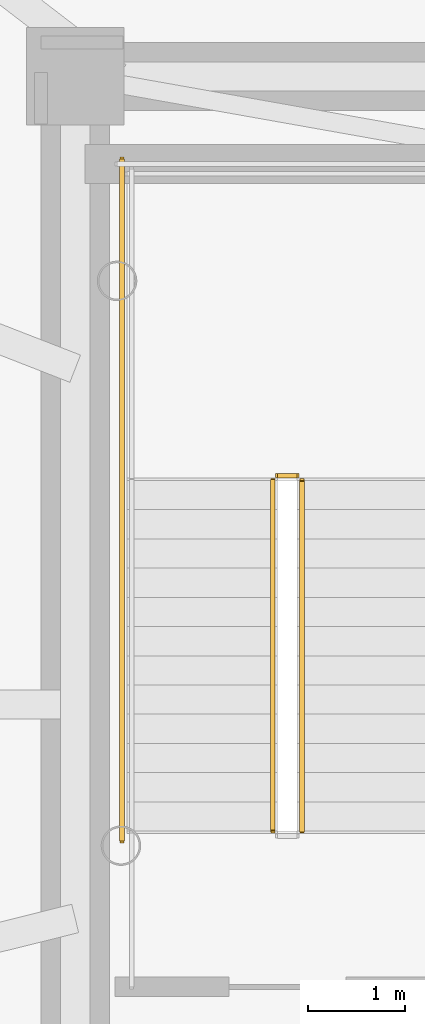
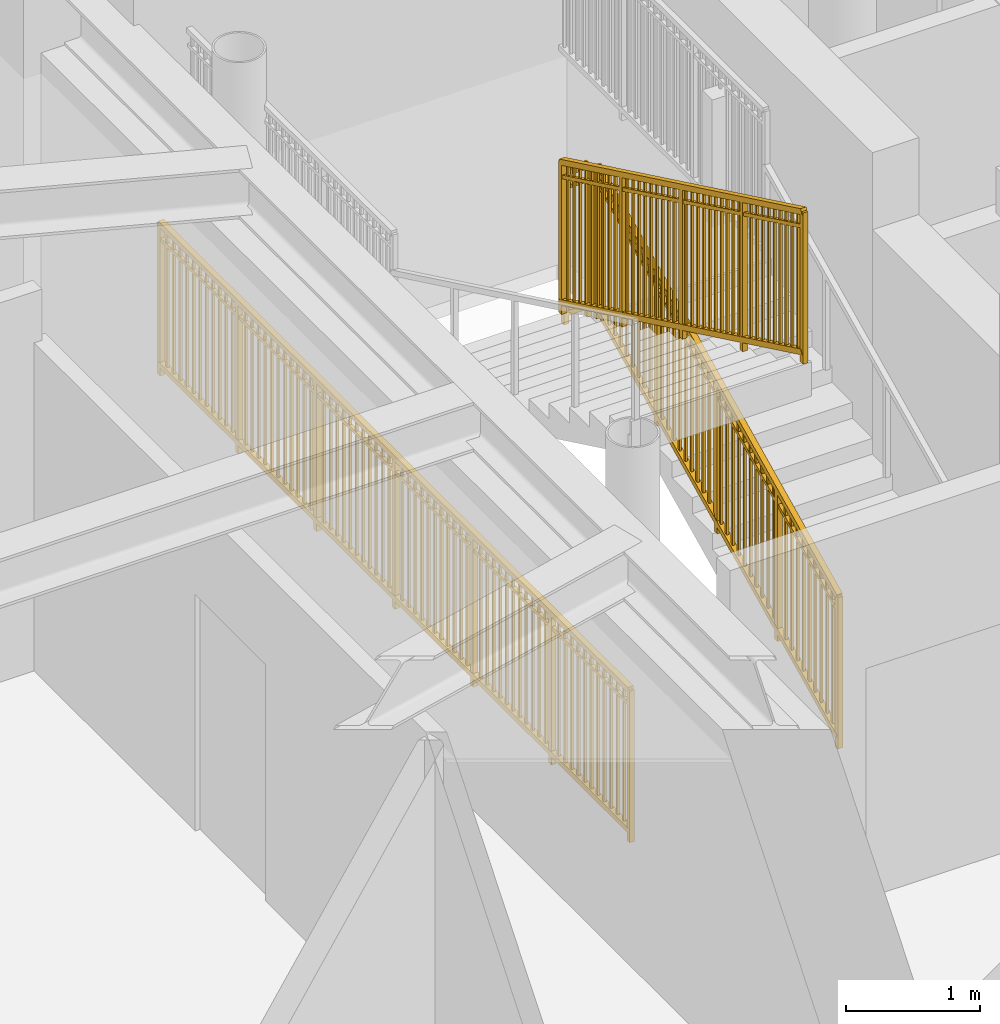
# One storey, part 14 of 17: 4 railings.
"""IFC4 building model written with IfcOpenShell, lengths in metres."""

from ifc_helpers import new_model, si_unit, direction, frame, origin, origin_2d, place, context, subcontext, project, spatial, rectangle, extrude, source, transform, mapped, material, type_object, element, save


model = new_model("IFC4")

# Units and contexts
model_context = context("Model", 3, precision=1e-05, world=origin(), true_north=direction((0.0, 1.0)))
body_context = subcontext(model_context, "Body", "Model", "MODEL_VIEW")
ifc_project = project(units=[si_unit("LENGTHUNIT", "METRE"), si_unit("AREAUNIT", "SQUARE_METRE"), si_unit("VOLUMEUNIT", "CUBIC_METRE"), si_unit("PLANEANGLEUNIT", "RADIAN"), si_unit("MASSUNIT", "GRAM", prefix="KILO")], contexts=[model_context])

# Site, building, storey
site_placement = place(None, origin())
site = spatial("IfcSite", under=ifc_project, at=site_placement, CompositionType="ELEMENT")
building_placement = place(site_placement, origin())
building = spatial("IfcBuilding", under=site, at=building_placement, Name="Linh Dai School and Residence Tower", CompositionType="ELEMENT")
storey_placement = place(building_placement, frame((0.0, 0.0, 314.25)))
storey = spatial("IfcBuildingStorey", under=building, at=storey_placement, Name="L78", CompositionType="ELEMENT", Elevation=314.25)

# Railings
ifc_material = material(Name="Structural Steel S355JR", Category="steel")
railing_type = type_object("IfcRailingType", Name="RL-ST-GUARD-1400", PredefinedType="GUARDRAIL", material=ifc_material)
shared_shape_1 = source(origin(), body_context, "Body", "SweptSolid", [
    extrude(rectangle(XDim=0.048095703125, YDim=0.048095703125, at=origin_2d()), frame((0.0, 0.0, 1.3759765625), z_axis=(-1.0, 0.0, 0.0), x_axis=(0.0, -1.0, 0.0)), (0.0, 0.0, 1.0), 0.199951171875),
    extrude(rectangle(XDim=0.048095703125, YDim=0.048095703125, at=origin_2d()), frame((0.0, 0.0, 0.10009765625), z_axis=(-1.0, 0.0, 0.0), x_axis=(0.0, -1.0, 0.0)), (0.0, 0.0, 1.0), 0.199951171875),
    extrude(rectangle(XDim=0.030029296875, YDim=0.030029296875, at=origin_2d()), frame((0.0, 0.0, 1.239990234375), z_axis=(-1.0, 0.0, 0.0), x_axis=(0.0, -1.0, 0.0)), (0.0, 0.0, 1.0), 0.199951171875),
    extrude(rectangle(XDim=0.0419921875, YDim=0.0419921875, at=origin_2d()), origin(), (0.0, 0.0, 1.0), 1.3759765625),
    extrude(rectangle(XDim=0.0419921875, YDim=0.0419921875, at=origin_2d()), frame((-0.199951171875, 0.0, 0.0)), (0.0, 0.0, 1.0), 1.3759765625),
])
railing_1_placement = place(storey_placement, frame((29.429931640625, 29.35009765625, 1.875)))
element("IfcRailing", 1, at=railing_1_placement, inside=storey, type_object=railing_type, Name="L78 ST1 stair guard 2", PredefinedType="GUARDRAIL", context=body_context, shape_type="MappedRepresentation", body=[
    mapped(shared_shape_1, transform((0.0, 0.0, 0.0), x_axis=(1.0, 0.0, 0.0), y_axis=(0.0, 1.0, 0.0), z_axis=(0.0, 0.0, 1.0), scale=1.0)),
])
shared_shape_2 = source(origin(), body_context, "Body", "SweptSolid", [
    extrude(rectangle(XDim=0.048095703125, YDim=0.048095703125, at=origin_2d()), frame((0.0, 0.0, 1.3759765625), z_axis=(0.0, 1.0, 0.0), x_axis=(-1.0, 0.0, 0.0)), (0.0, 0.0, 1.0), 7.0),
    extrude(rectangle(XDim=0.048095703125, YDim=0.048095703125, at=origin_2d()), frame((0.0, 0.0, 0.10009765625), z_axis=(0.0, 1.0, 0.0), x_axis=(-1.0, 0.0, 0.0)), (0.0, 0.0, 1.0), 7.0),
    extrude(rectangle(XDim=0.030029296875, YDim=0.030029296875, at=origin_2d()), frame((0.0, 0.0, 1.239990234375), z_axis=(0.0, 1.0, 0.0), x_axis=(-1.0, 0.0, 0.0)), (0.0, 0.0, 1.0), 7.0),
    extrude(rectangle(XDim=0.02001953125, YDim=0.02001953125, at=origin_2d()), frame((0.0, 0.09716796875, 0.10009765625)), (0.0, 0.0, 1.0), 1.251708984375),
    extrude(rectangle(XDim=0.02001953125, YDim=0.02001953125, at=origin_2d()), frame((0.0, 0.1943359375, 0.10009765625)), (0.0, 0.0, 1.0), 1.251708984375),
    extrude(rectangle(XDim=0.02001953125, YDim=0.02001953125, at=origin_2d()), frame((0.0, 0.291748046875, 0.10009765625)), (0.0, 0.0, 1.0), 1.251708984375),
    extrude(rectangle(XDim=0.02001953125, YDim=0.02001953125, at=origin_2d()), frame((0.0, 0.388916015625, 0.10009765625)), (0.0, 0.0, 1.0), 1.251708984375),
    extrude(rectangle(XDim=0.02001953125, YDim=0.02001953125, at=origin_2d()), frame((0.0, 0.486083984375, 0.10009765625)), (0.0, 0.0, 1.0), 1.251708984375),
    extrude(rectangle(XDim=0.02001953125, YDim=0.02001953125, at=origin_2d()), frame((0.0, 0.583251953125, 0.10009765625)), (0.0, 0.0, 1.0), 1.251708984375),
    extrude(rectangle(XDim=0.02001953125, YDim=0.02001953125, at=origin_2d()), frame((0.0, 0.6806640625, 0.10009765625)), (0.0, 0.0, 1.0), 1.251708984375),
    extrude(rectangle(XDim=0.02001953125, YDim=0.02001953125, at=origin_2d()), frame((0.0, 0.77783203125, 0.10009765625)), (0.0, 0.0, 1.0), 1.251708984375),
    extrude(rectangle(XDim=0.02001953125, YDim=0.02001953125, at=origin_2d()), frame((0.0, 0.875, 0.10009765625)), (0.0, 0.0, 1.0), 1.251708984375),
    extrude(rectangle(XDim=0.02001953125, YDim=0.02001953125, at=origin_2d()), frame((0.0, 0.97216796875, 0.10009765625)), (0.0, 0.0, 1.0), 1.251708984375),
    extrude(rectangle(XDim=0.02001953125, YDim=0.02001953125, at=origin_2d()), frame((0.0, 1.0693359375, 0.10009765625)), (0.0, 0.0, 1.0), 1.251708984375),
    extrude(rectangle(XDim=0.02001953125, YDim=0.02001953125, at=origin_2d()), frame((0.0, 1.263916015625, 0.10009765625)), (0.0, 0.0, 1.0), 1.251708984375),
    extrude(rectangle(XDim=0.02001953125, YDim=0.02001953125, at=origin_2d()), frame((0.0, 1.361083984375, 0.10009765625)), (0.0, 0.0, 1.0), 1.251708984375),
    extrude(rectangle(XDim=0.02001953125, YDim=0.02001953125, at=origin_2d()), frame((0.0, 1.458251953125, 0.10009765625)), (0.0, 0.0, 1.0), 1.251708984375),
    extrude(rectangle(XDim=0.02001953125, YDim=0.02001953125, at=origin_2d()), frame((0.0, 1.5556640625, 0.10009765625)), (0.0, 0.0, 1.0), 1.251708984375),
    extrude(rectangle(XDim=0.02001953125, YDim=0.02001953125, at=origin_2d()), frame((0.0, 1.65283203125, 0.10009765625)), (0.0, 0.0, 1.0), 1.251708984375),
    extrude(rectangle(XDim=0.02001953125, YDim=0.02001953125, at=origin_2d()), frame((0.0, 1.75, 0.10009765625)), (0.0, 0.0, 1.0), 1.251708984375),
    extrude(rectangle(XDim=0.02001953125, YDim=0.02001953125, at=origin_2d()), frame((0.0, 1.84716796875, 0.10009765625)), (0.0, 0.0, 1.0), 1.251708984375),
    extrude(rectangle(XDim=0.02001953125, YDim=0.02001953125, at=origin_2d()), frame((0.0, 1.9443359375, 0.10009765625)), (0.0, 0.0, 1.0), 1.251708984375),
    extrude(rectangle(XDim=0.02001953125, YDim=0.02001953125, at=origin_2d()), frame((0.0, 2.041748046875, 0.10009765625)), (0.0, 0.0, 1.0), 1.251708984375),
    extrude(rectangle(XDim=0.02001953125, YDim=0.02001953125, at=origin_2d()), frame((0.0, 2.138916015625, 0.10009765625)), (0.0, 0.0, 1.0), 1.251708984375),
    extrude(rectangle(XDim=0.02001953125, YDim=0.02001953125, at=origin_2d()), frame((0.0, 2.236083984375, 0.10009765625)), (0.0, 0.0, 1.0), 1.251708984375),
    extrude(rectangle(XDim=0.02001953125, YDim=0.02001953125, at=origin_2d()), frame((0.0, 2.4306640625, 0.10009765625)), (0.0, 0.0, 1.0), 1.251708984375),
    extrude(rectangle(XDim=0.02001953125, YDim=0.02001953125, at=origin_2d()), frame((0.0, 2.52783203125, 0.10009765625)), (0.0, 0.0, 1.0), 1.251708984375),
    extrude(rectangle(XDim=0.02001953125, YDim=0.02001953125, at=origin_2d()), frame((0.0, 2.625, 0.10009765625)), (0.0, 0.0, 1.0), 1.251708984375),
    extrude(rectangle(XDim=0.02001953125, YDim=0.02001953125, at=origin_2d()), frame((0.0, 2.72216796875, 0.10009765625)), (0.0, 0.0, 1.0), 1.251708984375),
    extrude(rectangle(XDim=0.02001953125, YDim=0.02001953125, at=origin_2d()), frame((0.0, 2.8193359375, 0.10009765625)), (0.0, 0.0, 1.0), 1.251708984375),
    extrude(rectangle(XDim=0.02001953125, YDim=0.02001953125, at=origin_2d()), frame((0.0, 2.916748046875, 0.10009765625)), (0.0, 0.0, 1.0), 1.251708984375),
    extrude(rectangle(XDim=0.02001953125, YDim=0.02001953125, at=origin_2d()), frame((0.0, 3.013916015625, 0.10009765625)), (0.0, 0.0, 1.0), 1.251708984375),
    extrude(rectangle(XDim=0.02001953125, YDim=0.02001953125, at=origin_2d()), frame((0.0, 3.111083984375, 0.10009765625)), (0.0, 0.0, 1.0), 1.251708984375),
    extrude(rectangle(XDim=0.02001953125, YDim=0.02001953125, at=origin_2d()), frame((0.0, 3.208251953125, 0.10009765625)), (0.0, 0.0, 1.0), 1.251708984375),
    extrude(rectangle(XDim=0.02001953125, YDim=0.02001953125, at=origin_2d()), frame((0.0, 3.3056640625, 0.10009765625)), (0.0, 0.0, 1.0), 1.251708984375),
    extrude(rectangle(XDim=0.02001953125, YDim=0.02001953125, at=origin_2d()), frame((0.0, 3.40283203125, 0.10009765625)), (0.0, 0.0, 1.0), 1.251708984375),
    extrude(rectangle(XDim=0.02001953125, YDim=0.02001953125, at=origin_2d()), frame((0.0, 3.59716796875, 0.10009765625)), (0.0, 0.0, 1.0), 1.251708984375),
    extrude(rectangle(XDim=0.02001953125, YDim=0.02001953125, at=origin_2d()), frame((0.0, 3.6943359375, 0.10009765625)), (0.0, 0.0, 1.0), 1.251708984375),
    extrude(rectangle(XDim=0.02001953125, YDim=0.02001953125, at=origin_2d()), frame((0.0, 3.791748046875, 0.10009765625)), (0.0, 0.0, 1.0), 1.251708984375),
    extrude(rectangle(XDim=0.02001953125, YDim=0.02001953125, at=origin_2d()), frame((0.0, 3.888916015625, 0.10009765625)), (0.0, 0.0, 1.0), 1.251708984375),
    extrude(rectangle(XDim=0.02001953125, YDim=0.02001953125, at=origin_2d()), frame((0.0, 3.986083984375, 0.10009765625)), (0.0, 0.0, 1.0), 1.251708984375),
    extrude(rectangle(XDim=0.02001953125, YDim=0.02001953125, at=origin_2d()), frame((0.0, 4.083251953125, 0.10009765625)), (0.0, 0.0, 1.0), 1.251708984375),
    extrude(rectangle(XDim=0.02001953125, YDim=0.02001953125, at=origin_2d()), frame((0.0, 4.1806640625, 0.10009765625)), (0.0, 0.0, 1.0), 1.251708984375),
    extrude(rectangle(XDim=0.02001953125, YDim=0.02001953125, at=origin_2d()), frame((0.0, 4.27783203125, 0.10009765625)), (0.0, 0.0, 1.0), 1.251708984375),
    extrude(rectangle(XDim=0.02001953125, YDim=0.02001953125, at=origin_2d()), frame((0.0, 4.375, 0.10009765625)), (0.0, 0.0, 1.0), 1.251708984375),
    extrude(rectangle(XDim=0.02001953125, YDim=0.02001953125, at=origin_2d()), frame((0.0, 4.47216796875, 0.10009765625)), (0.0, 0.0, 1.0), 1.251708984375),
    extrude(rectangle(XDim=0.02001953125, YDim=0.02001953125, at=origin_2d()), frame((0.0, 4.5693359375, 0.10009765625)), (0.0, 0.0, 1.0), 1.251708984375),
    extrude(rectangle(XDim=0.02001953125, YDim=0.02001953125, at=origin_2d()), frame((0.0, 4.763916015625, 0.10009765625)), (0.0, 0.0, 1.0), 1.251708984375),
    extrude(rectangle(XDim=0.02001953125, YDim=0.02001953125, at=origin_2d()), frame((0.0, 4.861083984375, 0.10009765625)), (0.0, 0.0, 1.0), 1.251708984375),
    extrude(rectangle(XDim=0.02001953125, YDim=0.02001953125, at=origin_2d()), frame((0.0, 4.958251953125, 0.10009765625)), (0.0, 0.0, 1.0), 1.251708984375),
    extrude(rectangle(XDim=0.02001953125, YDim=0.02001953125, at=origin_2d()), frame((0.0, 5.0556640625, 0.10009765625)), (0.0, 0.0, 1.0), 1.251708984375),
    extrude(rectangle(XDim=0.02001953125, YDim=0.02001953125, at=origin_2d()), frame((0.0, 5.15283203125, 0.10009765625)), (0.0, 0.0, 1.0), 1.251708984375),
    extrude(rectangle(XDim=0.02001953125, YDim=0.02001953125, at=origin_2d()), frame((0.0, 5.25, 0.10009765625)), (0.0, 0.0, 1.0), 1.251708984375),
    extrude(rectangle(XDim=0.02001953125, YDim=0.02001953125, at=origin_2d()), frame((0.0, 5.34716796875, 0.10009765625)), (0.0, 0.0, 1.0), 1.251708984375),
    extrude(rectangle(XDim=0.02001953125, YDim=0.02001953125, at=origin_2d()), frame((0.0, 5.4443359375, 0.10009765625)), (0.0, 0.0, 1.0), 1.251708984375),
    extrude(rectangle(XDim=0.02001953125, YDim=0.02001953125, at=origin_2d()), frame((0.0, 5.541748046875, 0.10009765625)), (0.0, 0.0, 1.0), 1.251708984375),
    extrude(rectangle(XDim=0.02001953125, YDim=0.02001953125, at=origin_2d()), frame((0.0, 5.638916015625, 0.10009765625)), (0.0, 0.0, 1.0), 1.251708984375),
    extrude(rectangle(XDim=0.02001953125, YDim=0.02001953125, at=origin_2d()), frame((0.0, 5.736083984375, 0.10009765625)), (0.0, 0.0, 1.0), 1.251708984375),
    extrude(rectangle(XDim=0.02001953125, YDim=0.02001953125, at=origin_2d()), frame((0.0, 5.9306640625, 0.10009765625)), (0.0, 0.0, 1.0), 1.251708984375),
    extrude(rectangle(XDim=0.02001953125, YDim=0.02001953125, at=origin_2d()), frame((0.0, 6.02783203125, 0.10009765625)), (0.0, 0.0, 1.0), 1.251708984375),
    extrude(rectangle(XDim=0.02001953125, YDim=0.02001953125, at=origin_2d()), frame((0.0, 6.125, 0.10009765625)), (0.0, 0.0, 1.0), 1.251708984375),
    extrude(rectangle(XDim=0.02001953125, YDim=0.02001953125, at=origin_2d()), frame((0.0, 6.22216796875, 0.10009765625)), (0.0, 0.0, 1.0), 1.251708984375),
    extrude(rectangle(XDim=0.02001953125, YDim=0.02001953125, at=origin_2d()), frame((0.0, 6.3193359375, 0.10009765625)), (0.0, 0.0, 1.0), 1.251708984375),
    extrude(rectangle(XDim=0.02001953125, YDim=0.02001953125, at=origin_2d()), frame((0.0, 6.416748046875, 0.10009765625)), (0.0, 0.0, 1.0), 1.251708984375),
    extrude(rectangle(XDim=0.02001953125, YDim=0.02001953125, at=origin_2d()), frame((0.0, 6.513916015625, 0.10009765625)), (0.0, 0.0, 1.0), 1.251708984375),
    extrude(rectangle(XDim=0.02001953125, YDim=0.02001953125, at=origin_2d()), frame((0.0, 6.611083984375, 0.10009765625)), (0.0, 0.0, 1.0), 1.251708984375),
    extrude(rectangle(XDim=0.02001953125, YDim=0.02001953125, at=origin_2d()), frame((0.0, 6.708251953125, 0.10009765625)), (0.0, 0.0, 1.0), 1.251708984375),
    extrude(rectangle(XDim=0.02001953125, YDim=0.02001953125, at=origin_2d()), frame((0.0, 6.8056640625, 0.10009765625)), (0.0, 0.0, 1.0), 1.251708984375),
    extrude(rectangle(XDim=0.02001953125, YDim=0.02001953125, at=origin_2d()), frame((0.0, 6.90283203125, 0.10009765625)), (0.0, 0.0, 1.0), 1.251708984375),
    extrude(rectangle(XDim=0.0419921875, YDim=0.0419921875, at=origin_2d()), origin(), (0.0, 0.0, 1.0), 1.3759765625),
    extrude(rectangle(XDim=0.0419921875, YDim=0.0419921875, at=origin_2d()), frame((0.0, 1.166748046875, 0.0)), (0.0, 0.0, 1.0), 1.3759765625),
    extrude(rectangle(XDim=0.0419921875, YDim=0.0419921875, at=origin_2d()), frame((0.0, 2.333251953125, 0.0)), (0.0, 0.0, 1.0), 1.3759765625),
    extrude(rectangle(XDim=0.0419921875, YDim=0.0419921875, at=origin_2d()), frame((0.0, 3.5, 0.0)), (0.0, 0.0, 1.0), 1.3759765625),
    extrude(rectangle(XDim=0.0419921875, YDim=0.0419921875, at=origin_2d()), frame((0.0, 4.666748046875, 0.0)), (0.0, 0.0, 1.0), 1.3759765625),
    extrude(rectangle(XDim=0.0419921875, YDim=0.0419921875, at=origin_2d()), frame((0.0, 5.833251953125, 0.0)), (0.0, 0.0, 1.0), 1.3759765625),
    extrude(rectangle(XDim=0.0419921875, YDim=0.0419921875, at=origin_2d()), frame((0.0, 7.0, 0.0)), (0.0, 0.0, 1.0), 1.3759765625),
])
railing_2_placement = place(storey_placement, frame((27.6298828125, 25.60009765625, 0.0)))
element("IfcRailing", 2, at=railing_2_placement, inside=storey, type_object=railing_type, Name="L78 ST1 stair guard 11", PredefinedType="GUARDRAIL", context=body_context, shape_type="MappedRepresentation", body=[
    mapped(shared_shape_2, transform((0.0, 0.0, 0.0), x_axis=(1.0, 0.0, 0.0), y_axis=(0.0, 1.0, 0.0), z_axis=(0.0, 0.0, 1.0), scale=1.0)),
])
shared_shape_3 = source(origin(), body_context, "Body", "SweptSolid", [
    extrude(rectangle(XDim=0.048095703125, YDim=0.048095703125, at=origin_2d()), frame((0.0, 0.0, 1.3759765625), z_axis=(0.0, 0.901262522062, 0.433273431364), x_axis=(-1.0, 0.0, 0.0)), (0.0, 0.0, 1.0), 3.994384765625),
    extrude(rectangle(XDim=0.048095703125, YDim=0.048095703125, at=origin_2d()), frame((0.0, 0.0, 0.10009765625), z_axis=(0.0, 0.901262522062, 0.433273431364), x_axis=(-1.0, 0.0, 0.0)), (0.0, 0.0, 1.0), 3.994384765625),
    extrude(rectangle(XDim=0.030029296875, YDim=0.030029296875, at=origin_2d()), frame((0.0, 0.0, 1.239990234375), z_axis=(0.0, 0.901262522062, 0.433273431364), x_axis=(-1.0, 0.0, 0.0)), (0.0, 0.0, 1.0), 3.994384765625),
    extrude(rectangle(XDim=0.02001953125, YDim=0.02001953125, at=origin_2d()), frame((0.0, 0.087890625, 0.142333984375)), (0.0, 0.0, 1.0), 1.251708984375),
    extrude(rectangle(XDim=0.02001953125, YDim=0.02001953125, at=origin_2d()), frame((0.0, 0.175537109375, 0.1845703125)), (0.0, 0.0, 1.0), 1.251708984375),
    extrude(rectangle(XDim=0.02001953125, YDim=0.02001953125, at=origin_2d()), frame((0.0, 0.263427734375, 0.226806640625)), (0.0, 0.0, 1.0), 1.251708984375),
    extrude(rectangle(XDim=0.02001953125, YDim=0.02001953125, at=origin_2d()), frame((0.0, 0.351318359375, 0.26904296875)), (0.0, 0.0, 1.0), 1.251708984375),
    extrude(rectangle(XDim=0.02001953125, YDim=0.02001953125, at=origin_2d()), frame((0.0, 0.43896484375, 0.311279296875)), (0.0, 0.0, 1.0), 1.251708984375),
    extrude(rectangle(XDim=0.02001953125, YDim=0.02001953125, at=origin_2d()), frame((0.0, 0.52685546875, 0.353271484375)), (0.0, 0.0, 1.0), 1.251708984375),
    extrude(rectangle(XDim=0.02001953125, YDim=0.02001953125, at=origin_2d()), frame((0.0, 0.61474609375, 0.3955078125)), (0.0, 0.0, 1.0), 1.251708984375),
    extrude(rectangle(XDim=0.02001953125, YDim=0.02001953125, at=origin_2d()), frame((0.0, 0.702392578125, 0.437744140625)), (0.0, 0.0, 1.0), 1.251708984375),
    extrude(rectangle(XDim=0.02001953125, YDim=0.02001953125, at=origin_2d()), frame((0.0, 0.790283203125, 0.47998046875)), (0.0, 0.0, 1.0), 1.251708984375),
    extrude(rectangle(XDim=0.02001953125, YDim=0.02001953125, at=origin_2d()), frame((0.0, 0.9658203125, 0.564453125)), (0.0, 0.0, 1.0), 1.251708984375),
    extrude(rectangle(XDim=0.02001953125, YDim=0.02001953125, at=origin_2d()), frame((0.0, 1.0537109375, 0.606689453125)), (0.0, 0.0, 1.0), 1.251708984375),
    extrude(rectangle(XDim=0.02001953125, YDim=0.02001953125, at=origin_2d()), frame((0.0, 1.1416015625, 0.64892578125)), (0.0, 0.0, 1.0), 1.251708984375),
    extrude(rectangle(XDim=0.02001953125, YDim=0.02001953125, at=origin_2d()), frame((0.0, 1.229248046875, 0.691162109375)), (0.0, 0.0, 1.0), 1.251708984375),
    extrude(rectangle(XDim=0.02001953125, YDim=0.02001953125, at=origin_2d()), frame((0.0, 1.317138671875, 0.7333984375)), (0.0, 0.0, 1.0), 1.251708984375),
    extrude(rectangle(XDim=0.02001953125, YDim=0.02001953125, at=origin_2d()), frame((0.0, 1.405029296875, 0.775390625)), (0.0, 0.0, 1.0), 1.251708984375),
    extrude(rectangle(XDim=0.02001953125, YDim=0.02001953125, at=origin_2d()), frame((0.0, 1.49267578125, 0.817626953125)), (0.0, 0.0, 1.0), 1.251708984375),
    extrude(rectangle(XDim=0.02001953125, YDim=0.02001953125, at=origin_2d()), frame((0.0, 1.58056640625, 0.85986328125)), (0.0, 0.0, 1.0), 1.251708984375),
    extrude(rectangle(XDim=0.02001953125, YDim=0.02001953125, at=origin_2d()), frame((0.0, 1.66845703125, 0.902099609375)), (0.0, 0.0, 1.0), 1.251708984375),
    extrude(rectangle(XDim=0.02001953125, YDim=0.02001953125, at=origin_2d()), frame((0.0, 1.756103515625, 0.9443359375)), (0.0, 0.0, 1.0), 1.251708984375),
    extrude(rectangle(XDim=0.02001953125, YDim=0.02001953125, at=origin_2d()), frame((0.0, 1.843994140625, 0.986572265625)), (0.0, 0.0, 1.0), 1.251708984375),
    extrude(rectangle(XDim=0.02001953125, YDim=0.02001953125, at=origin_2d()), frame((0.0, 1.931640625, 1.02880859375)), (0.0, 0.0, 1.0), 1.251708984375),
    extrude(rectangle(XDim=0.02001953125, YDim=0.02001953125, at=origin_2d()), frame((0.0, 2.01953125, 1.071044921875)), (0.0, 0.0, 1.0), 1.251708984375),
    extrude(rectangle(XDim=0.02001953125, YDim=0.02001953125, at=origin_2d()), frame((0.0, 2.107421875, 1.11328125)), (0.0, 0.0, 1.0), 1.251708984375),
    extrude(rectangle(XDim=0.02001953125, YDim=0.02001953125, at=origin_2d()), frame((0.0, 2.195068359375, 1.155517578125)), (0.0, 0.0, 1.0), 1.251708984375),
    extrude(rectangle(XDim=0.02001953125, YDim=0.02001953125, at=origin_2d()), frame((0.0, 2.282958984375, 1.197509765625)), (0.0, 0.0, 1.0), 1.251708984375),
    extrude(rectangle(XDim=0.02001953125, YDim=0.02001953125, at=origin_2d()), frame((0.0, 2.370849609375, 1.23974609375)), (0.0, 0.0, 1.0), 1.251708984375),
    extrude(rectangle(XDim=0.02001953125, YDim=0.02001953125, at=origin_2d()), frame((0.0, 2.45849609375, 1.281982421875)), (0.0, 0.0, 1.0), 1.251708984375),
    extrude(rectangle(XDim=0.02001953125, YDim=0.02001953125, at=origin_2d()), frame((0.0, 2.54638671875, 1.32421875)), (0.0, 0.0, 1.0), 1.251708984375),
    extrude(rectangle(XDim=0.02001953125, YDim=0.02001953125, at=origin_2d()), frame((0.0, 2.63427734375, 1.366455078125)), (0.0, 0.0, 1.0), 1.251708984375),
    extrude(rectangle(XDim=0.02001953125, YDim=0.02001953125, at=origin_2d()), frame((0.0, 2.809814453125, 1.450927734375)), (0.0, 0.0, 1.0), 1.251708984375),
    extrude(rectangle(XDim=0.02001953125, YDim=0.02001953125, at=origin_2d()), frame((0.0, 2.897705078125, 1.4931640625)), (0.0, 0.0, 1.0), 1.251708984375),
    extrude(rectangle(XDim=0.02001953125, YDim=0.02001953125, at=origin_2d()), frame((0.0, 2.9853515625, 1.535400390625)), (0.0, 0.0, 1.0), 1.251708984375),
    extrude(rectangle(XDim=0.02001953125, YDim=0.02001953125, at=origin_2d()), frame((0.0, 3.0732421875, 1.57763671875)), (0.0, 0.0, 1.0), 1.251708984375),
    extrude(rectangle(XDim=0.02001953125, YDim=0.02001953125, at=origin_2d()), frame((0.0, 3.1611328125, 1.61962890625)), (0.0, 0.0, 1.0), 1.251708984375),
    extrude(rectangle(XDim=0.02001953125, YDim=0.02001953125, at=origin_2d()), frame((0.0, 3.248779296875, 1.661865234375)), (0.0, 0.0, 1.0), 1.251708984375),
    extrude(rectangle(XDim=0.02001953125, YDim=0.02001953125, at=origin_2d()), frame((0.0, 3.336669921875, 1.7041015625)), (0.0, 0.0, 1.0), 1.251708984375),
    extrude(rectangle(XDim=0.02001953125, YDim=0.02001953125, at=origin_2d()), frame((0.0, 3.424560546875, 1.746337890625)), (0.0, 0.0, 1.0), 1.251708984375),
    extrude(rectangle(XDim=0.02001953125, YDim=0.02001953125, at=origin_2d()), frame((0.0, 3.51220703125, 1.78857421875)), (0.0, 0.0, 1.0), 1.251708984375),
    extrude(rectangle(XDim=0.0419921875, YDim=0.0419921875, at=origin_2d()), origin(), (0.0, 0.0, 1.0), 1.3759765625),
    extrude(rectangle(XDim=0.0419921875, YDim=0.0419921875, at=origin_2d()), frame((0.0, 0.89990234375, 0.4326171875)), (0.0, 0.0, 1.0), 1.3759765625),
    extrude(rectangle(XDim=0.0419921875, YDim=0.0419921875, at=origin_2d()), frame((0.0, 1.800048828125, 0.865234375)), (0.0, 0.0, 1.0), 1.3759765625),
    extrude(rectangle(XDim=0.0419921875, YDim=0.0419921875, at=origin_2d()), frame((0.0, 2.7001953125, 1.298095703125)), (0.0, 0.0, 1.0), 1.3759765625),
    extrude(rectangle(XDim=0.0419921875, YDim=0.0419921875, at=origin_2d()), frame((0.0, 3.60009765625, 1.730712890625)), (0.0, 0.0, 1.0), 1.3759765625),
])
railing_3_placement = place(storey_placement, frame((29.47998046875, 25.699951171875, 0.144287109375)))
element("IfcRailing", 3, at=railing_3_placement, inside=storey, type_object=railing_type, Name="L78 ST1 stair guard 1", PredefinedType="GUARDRAIL", context=body_context, shape_type="MappedRepresentation", body=[
    mapped(shared_shape_3, transform((0.0, 0.0, 0.0), x_axis=(1.0, 0.0, 0.0), y_axis=(0.0, 1.0, 0.0), z_axis=(0.0, 0.0, 1.0), scale=1.0)),
])
shared_shape_4 = source(origin(), body_context, "Body", "SweptSolid", [
    extrude(rectangle(XDim=0.048095703125, YDim=0.048095703125, at=origin_2d()), frame((0.0, 0.0, 1.3759765625), z_axis=(0.0, -0.901262522062, 0.433273431364), x_axis=(1.0, 0.0, 0.0)), (0.0, 0.0, 1.0), 3.994384765625),
    extrude(rectangle(XDim=0.048095703125, YDim=0.048095703125, at=origin_2d()), frame((0.0, 0.0, 0.10009765625), z_axis=(0.0, -0.901262522062, 0.433273431364), x_axis=(1.0, 0.0, 0.0)), (0.0, 0.0, 1.0), 3.994384765625),
    extrude(rectangle(XDim=0.030029296875, YDim=0.030029296875, at=origin_2d()), frame((0.0, 0.0, 1.239990234375), z_axis=(0.0, -0.901262522062, 0.433273431364), x_axis=(1.0, 0.0, 0.0)), (0.0, 0.0, 1.0), 3.994384765625),
    extrude(rectangle(XDim=0.02001953125, YDim=0.02001953125, at=origin_2d()), frame((0.0, -0.087890625, 0.142333984375)), (0.0, 0.0, 1.0), 1.251708984375),
    extrude(rectangle(XDim=0.02001953125, YDim=0.02001953125, at=origin_2d()), frame((0.0, -0.175537109375, 0.1845703125)), (0.0, 0.0, 1.0), 1.251708984375),
    extrude(rectangle(XDim=0.02001953125, YDim=0.02001953125, at=origin_2d()), frame((0.0, -0.263427734375, 0.226806640625)), (0.0, 0.0, 1.0), 1.251708984375),
    extrude(rectangle(XDim=0.02001953125, YDim=0.02001953125, at=origin_2d()), frame((0.0, -0.351318359375, 0.26904296875)), (0.0, 0.0, 1.0), 1.251708984375),
    extrude(rectangle(XDim=0.02001953125, YDim=0.02001953125, at=origin_2d()), frame((0.0, -0.43896484375, 0.311279296875)), (0.0, 0.0, 1.0), 1.251708984375),
    extrude(rectangle(XDim=0.02001953125, YDim=0.02001953125, at=origin_2d()), frame((0.0, -0.52685546875, 0.353271484375)), (0.0, 0.0, 1.0), 1.251708984375),
    extrude(rectangle(XDim=0.02001953125, YDim=0.02001953125, at=origin_2d()), frame((0.0, -0.61474609375, 0.3955078125)), (0.0, 0.0, 1.0), 1.251708984375),
    extrude(rectangle(XDim=0.02001953125, YDim=0.02001953125, at=origin_2d()), frame((0.0, -0.702392578125, 0.437744140625)), (0.0, 0.0, 1.0), 1.251708984375),
    extrude(rectangle(XDim=0.02001953125, YDim=0.02001953125, at=origin_2d()), frame((0.0, -0.790283203125, 0.47998046875)), (0.0, 0.0, 1.0), 1.251708984375),
    extrude(rectangle(XDim=0.02001953125, YDim=0.02001953125, at=origin_2d()), frame((0.0, -0.9658203125, 0.564453125)), (0.0, 0.0, 1.0), 1.251708984375),
    extrude(rectangle(XDim=0.02001953125, YDim=0.02001953125, at=origin_2d()), frame((0.0, -1.0537109375, 0.606689453125)), (0.0, 0.0, 1.0), 1.251708984375),
    extrude(rectangle(XDim=0.02001953125, YDim=0.02001953125, at=origin_2d()), frame((0.0, -1.1416015625, 0.64892578125)), (0.0, 0.0, 1.0), 1.251708984375),
    extrude(rectangle(XDim=0.02001953125, YDim=0.02001953125, at=origin_2d()), frame((0.0, -1.229248046875, 0.691162109375)), (0.0, 0.0, 1.0), 1.251708984375),
    extrude(rectangle(XDim=0.02001953125, YDim=0.02001953125, at=origin_2d()), frame((0.0, -1.317138671875, 0.7333984375)), (0.0, 0.0, 1.0), 1.251708984375),
    extrude(rectangle(XDim=0.02001953125, YDim=0.02001953125, at=origin_2d()), frame((0.0, -1.405029296875, 0.775390625)), (0.0, 0.0, 1.0), 1.251708984375),
    extrude(rectangle(XDim=0.02001953125, YDim=0.02001953125, at=origin_2d()), frame((0.0, -1.49267578125, 0.817626953125)), (0.0, 0.0, 1.0), 1.251708984375),
    extrude(rectangle(XDim=0.02001953125, YDim=0.02001953125, at=origin_2d()), frame((0.0, -1.58056640625, 0.85986328125)), (0.0, 0.0, 1.0), 1.251708984375),
    extrude(rectangle(XDim=0.02001953125, YDim=0.02001953125, at=origin_2d()), frame((0.0, -1.66845703125, 0.902099609375)), (0.0, 0.0, 1.0), 1.251708984375),
    extrude(rectangle(XDim=0.02001953125, YDim=0.02001953125, at=origin_2d()), frame((0.0, -1.756103515625, 0.9443359375)), (0.0, 0.0, 1.0), 1.251708984375),
    extrude(rectangle(XDim=0.02001953125, YDim=0.02001953125, at=origin_2d()), frame((0.0, -1.843994140625, 0.986572265625)), (0.0, 0.0, 1.0), 1.251708984375),
    extrude(rectangle(XDim=0.02001953125, YDim=0.02001953125, at=origin_2d()), frame((0.0, -1.931640625, 1.02880859375)), (0.0, 0.0, 1.0), 1.251708984375),
    extrude(rectangle(XDim=0.02001953125, YDim=0.02001953125, at=origin_2d()), frame((0.0, -2.01953125, 1.071044921875)), (0.0, 0.0, 1.0), 1.251708984375),
    extrude(rectangle(XDim=0.02001953125, YDim=0.02001953125, at=origin_2d()), frame((0.0, -2.107421875, 1.11328125)), (0.0, 0.0, 1.0), 1.251708984375),
    extrude(rectangle(XDim=0.02001953125, YDim=0.02001953125, at=origin_2d()), frame((0.0, -2.195068359375, 1.155517578125)), (0.0, 0.0, 1.0), 1.251708984375),
    extrude(rectangle(XDim=0.02001953125, YDim=0.02001953125, at=origin_2d()), frame((0.0, -2.282958984375, 1.197509765625)), (0.0, 0.0, 1.0), 1.251708984375),
    extrude(rectangle(XDim=0.02001953125, YDim=0.02001953125, at=origin_2d()), frame((0.0, -2.370849609375, 1.23974609375)), (0.0, 0.0, 1.0), 1.251708984375),
    extrude(rectangle(XDim=0.02001953125, YDim=0.02001953125, at=origin_2d()), frame((0.0, -2.45849609375, 1.281982421875)), (0.0, 0.0, 1.0), 1.251708984375),
    extrude(rectangle(XDim=0.02001953125, YDim=0.02001953125, at=origin_2d()), frame((0.0, -2.54638671875, 1.32421875)), (0.0, 0.0, 1.0), 1.251708984375),
    extrude(rectangle(XDim=0.02001953125, YDim=0.02001953125, at=origin_2d()), frame((0.0, -2.63427734375, 1.366455078125)), (0.0, 0.0, 1.0), 1.251708984375),
    extrude(rectangle(XDim=0.02001953125, YDim=0.02001953125, at=origin_2d()), frame((0.0, -2.809814453125, 1.450927734375)), (0.0, 0.0, 1.0), 1.251708984375),
    extrude(rectangle(XDim=0.02001953125, YDim=0.02001953125, at=origin_2d()), frame((0.0, -2.897705078125, 1.4931640625)), (0.0, 0.0, 1.0), 1.251708984375),
    extrude(rectangle(XDim=0.02001953125, YDim=0.02001953125, at=origin_2d()), frame((0.0, -2.9853515625, 1.535400390625)), (0.0, 0.0, 1.0), 1.251708984375),
    extrude(rectangle(XDim=0.02001953125, YDim=0.02001953125, at=origin_2d()), frame((0.0, -3.0732421875, 1.57763671875)), (0.0, 0.0, 1.0), 1.251708984375),
    extrude(rectangle(XDim=0.02001953125, YDim=0.02001953125, at=origin_2d()), frame((0.0, -3.1611328125, 1.61962890625)), (0.0, 0.0, 1.0), 1.251708984375),
    extrude(rectangle(XDim=0.02001953125, YDim=0.02001953125, at=origin_2d()), frame((0.0, -3.248779296875, 1.661865234375)), (0.0, 0.0, 1.0), 1.251708984375),
    extrude(rectangle(XDim=0.02001953125, YDim=0.02001953125, at=origin_2d()), frame((0.0, -3.336669921875, 1.7041015625)), (0.0, 0.0, 1.0), 1.251708984375),
    extrude(rectangle(XDim=0.02001953125, YDim=0.02001953125, at=origin_2d()), frame((0.0, -3.424560546875, 1.746337890625)), (0.0, 0.0, 1.0), 1.251708984375),
    extrude(rectangle(XDim=0.02001953125, YDim=0.02001953125, at=origin_2d()), frame((0.0, -3.51220703125, 1.78857421875)), (0.0, 0.0, 1.0), 1.251708984375),
    extrude(rectangle(XDim=0.0419921875, YDim=0.0419921875, at=origin_2d()), origin(), (0.0, 0.0, 1.0), 1.3759765625),
    extrude(rectangle(XDim=0.0419921875, YDim=0.0419921875, at=origin_2d()), frame((0.0, -0.89990234375, 0.4326171875)), (0.0, 0.0, 1.0), 1.3759765625),
    extrude(rectangle(XDim=0.0419921875, YDim=0.0419921875, at=origin_2d()), frame((0.0, -1.800048828125, 0.865234375)), (0.0, 0.0, 1.0), 1.3759765625),
    extrude(rectangle(XDim=0.0419921875, YDim=0.0419921875, at=origin_2d()), frame((0.0, -2.7001953125, 1.298095703125)), (0.0, 0.0, 1.0), 1.3759765625),
    extrude(rectangle(XDim=0.0419921875, YDim=0.0419921875, at=origin_2d()), frame((0.0, -3.60009765625, 1.730712890625)), (0.0, 0.0, 1.0), 1.3759765625),
])
railing_4_placement = place(storey_placement, frame((29.179931640625, 29.300048828125, 2.019287109375)))
element("IfcRailing", 4, at=railing_4_placement, inside=storey, type_object=railing_type, Name="L78 ST1 stair guard 6", PredefinedType="GUARDRAIL", context=body_context, shape_type="MappedRepresentation", body=[
    mapped(shared_shape_4, transform((0.0, 0.0, 0.0), x_axis=(1.0, 0.0, 0.0), y_axis=(0.0, 1.0, 0.0), z_axis=(0.0, 0.0, 1.0), scale=1.0)),
])

save(model, "model.ifc")
